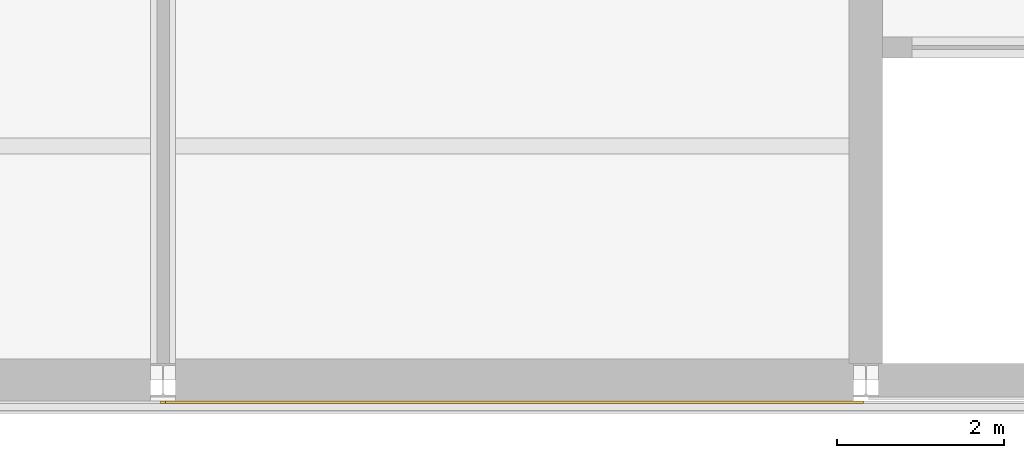
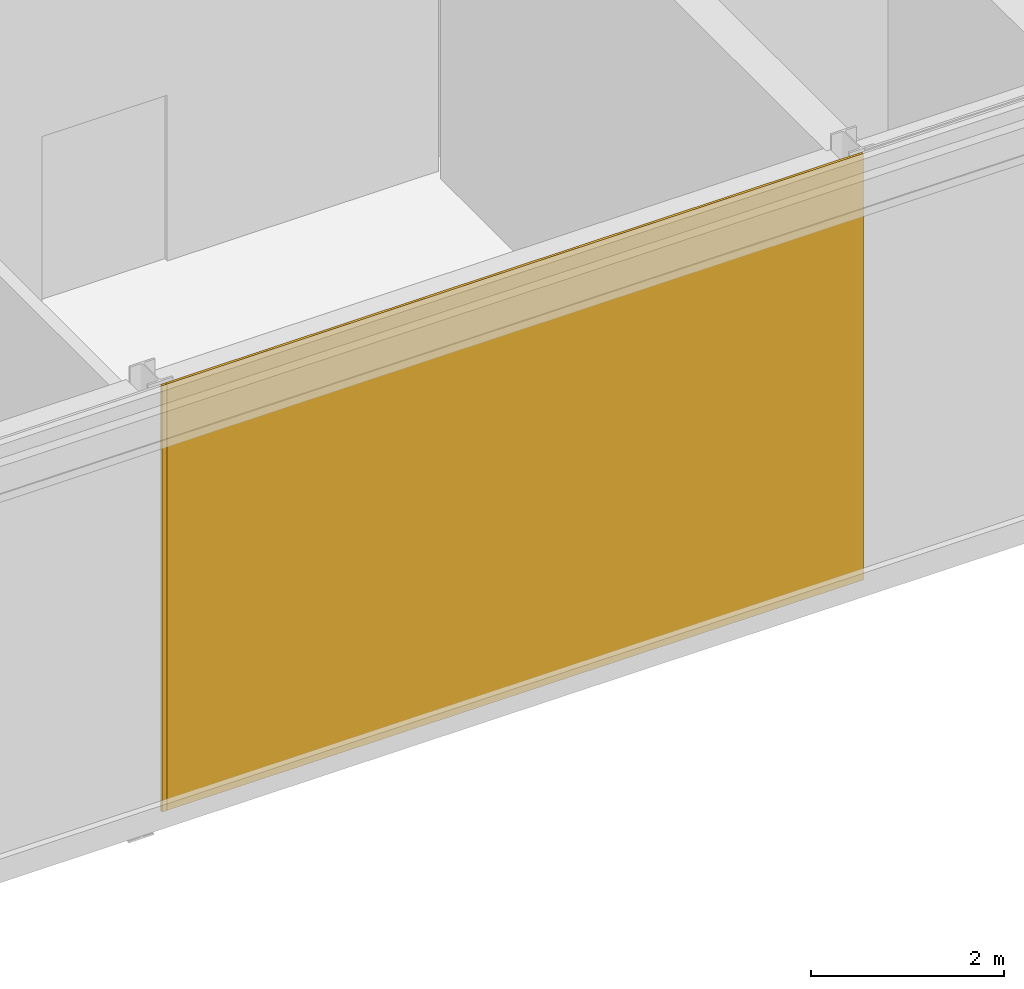
# One storey, part 48 of 57: 2 coverings.
"""IFC4 building model written with IfcOpenShell, lengths in metres."""

import ifcopenshell
import ifcopenshell.guid

model = None  # the IFC model being written
_history = None  # IfcOwnerHistory: only IFC2X3 demands one
_inside = {}  # id of a spatial element -> (the spatial element, [elements in it])
_under = {}  # id of a project, library or spatial element -> (it, [spatial elements below it])
_declared = {}  # id of a project -> (the project, [libraries it declares])
_typed = {}  # id of a type object -> (the type object, [elements of that type])
_made_of = {}  # id of a material, layer set ... -> (it, [elements and type objects made of it])


def new_model(schema):
    """Start an empty IFC model of exactly this schema.

    Asked for "IFC4X3", IfcOpenShell would pick the latest addendum, in which some entities
    have other attributes; the version numbers below select the first issue.
    IFC2X3 requires an IfcOwnerHistory on every rooted entity: one is made here for all.
    """
    global model, _history
    if schema == "IFC4X3":
        model = ifcopenshell.file(schema_version=(4, 3, 0, 0))
    else:
        model = ifcopenshell.file(schema=schema)
    _inside.clear()
    _under.clear()
    _declared.clear()
    _typed.clear()
    _made_of.clear()
    _history = None
    if model.schema == "IFC2X3":
        org = make("IfcOrganization", Name="unknown")
        user = make(
            "IfcPersonAndOrganization",
            ThePerson=make("IfcPerson", FamilyName="unknown"),
            TheOrganization=org,
        )
        app = make(
            "IfcApplication",
            ApplicationDeveloper=org,
            Version="unknown",
            ApplicationFullName="unknown",
            ApplicationIdentifier="unknown",
        )
        _history = make(
            "IfcOwnerHistory",
            OwningUser=user,
            OwningApplication=app,
            ChangeAction="ADDED",
            CreationDate=0,
        )
    return model


def make(cls, **values):
    """One entity of the class cls with the attributes given. An attribute that is None is left unset."""
    return model.create_entity(
        cls, **{name: value for name, value in values.items() if value is not None}
    )


def rooted(cls, **values):
    """An entity with a GlobalId (a new one), such as an element, a storey or a relation."""
    return make(cls, GlobalId=ifcopenshell.guid.new(), OwnerHistory=_history, **values)


def si_unit(unit_type, name, prefix=None):
    """IfcSIUnit, for example si_unit("LENGTHUNIT", "METRE", prefix="MILLI")."""
    return make("IfcSIUnit", UnitType=unit_type, Prefix=prefix, Name=name)


def assignment(units):
    """IfcUnitAssignment: the units of a project."""
    return None if units is None else make("IfcUnitAssignment", Units=units)


def point(xyz):
    """IfcCartesianPoint."""
    return None if xyz is None else make("IfcCartesianPoint", Coordinates=xyz)


def direction(xyz):
    """IfcDirection."""
    return None if xyz is None else make("IfcDirection", DirectionRatios=xyz)


def frame(location, z_axis=None, x_axis=None):
    """IfcAxis2Placement3D, a coordinate frame: its origin and axes. An axis left out is left unset."""
    return make(
        "IfcAxis2Placement3D",
        Location=point(location),
        Axis=direction(z_axis),
        RefDirection=direction(x_axis),
    )


def frame_2d(location, x_axis=None):
    """IfcAxis2Placement2D, a coordinate frame in the plane: its origin and x axis."""
    return make(
        "IfcAxis2Placement2D", Location=point(location), RefDirection=direction(x_axis)
    )


def origin():
    """The frame at (0, 0, 0) with its axes left unset."""
    return frame((0.0, 0.0, 0.0))


def origin_2d():
    """The frame at (0, 0) in the plane with its x axis left unset."""
    return frame_2d((0.0, 0.0))


def place(relative_to, where):
    """IfcLocalPlacement: puts the frame where relative to a parent placement (None: the world)."""
    return make(
        "IfcLocalPlacement", PlacementRelTo=relative_to, RelativePlacement=where
    )


def context(
    kind, dimensions, precision=None, world=None, true_north=None, identifier=None
):
    """IfcGeometricRepresentationContext, for example the 3D "Model" context."""
    return make(
        "IfcGeometricRepresentationContext",
        ContextIdentifier=identifier,
        ContextType=kind,
        CoordinateSpaceDimension=dimensions,
        Precision=precision,
        WorldCoordinateSystem=world,
        TrueNorth=true_north,
    )


def subcontext(parent, identifier, kind, view, scale=None):
    """IfcGeometricRepresentationSubContext, for example "Body" below "Model"."""
    return make(
        "IfcGeometricRepresentationSubContext",
        ContextIdentifier=identifier,
        ContextType=kind,
        ParentContext=parent,
        TargetScale=scale,
        TargetView=view,
    )


def project(units=None, contexts=None):
    """IfcProject with its units and contexts."""
    return rooted(
        "IfcProject",
        Name="project",
        RepresentationContexts=contexts,
        UnitsInContext=assignment(units),
    )


def spatial(cls, under=None, at=None, **own):
    """A site, building, storey or space (cls), placed at a placement, below another one or the project."""
    s = rooted(cls, ObjectPlacement=at, **own)
    if under is not None:
        _under.setdefault(under.id(), (under, []))[1].append(s)
    return s


def profile(cls, at=None, kind="AREA", **sizes):
    """A parametric profile (cls). Its sizes go by their IFC names, for example OverallWidth=200.0."""
    return make(cls, ProfileType=kind, Position=at, **sizes)


def rectangle(**sizes):
    """IfcRectangleProfileDef."""
    return profile("IfcRectangleProfileDef", **sizes)


def extrude(swept, where, along, depth):
    """IfcExtrudedAreaSolid: the profile swept, set in the frame where, extruded along a direction by depth."""
    return make(
        "IfcExtrudedAreaSolid",
        SweptArea=swept,
        Position=where,
        ExtrudedDirection=direction(along),
        Depth=depth,
    )


def shape(context_of_items, identifier, shape_type, items):
    """IfcShapeRepresentation: the items that make up one representation, for example the "Body"."""
    return make(
        "IfcShapeRepresentation",
        ContextOfItems=context_of_items,
        RepresentationIdentifier=identifier,
        RepresentationType=shape_type,
        Items=items,
    )


def material(Name=None, Category=None):
    """IfcMaterial."""
    return make("IfcMaterial", Name=Name, Category=Category)


def layer(
    of_material, thickness, ventilated=None, Name=None, Category=None, Priority=None
):
    """IfcMaterialLayer: one layer of a wall or slab, of a material (None: an air gap)."""
    return make(
        "IfcMaterialLayer",
        Material=of_material,
        LayerThickness=thickness,
        IsVentilated=ventilated,
        Name=Name,
        Category=Category,
        Priority=Priority,
    )


def layer_set(layers, Name=None):
    """IfcMaterialLayerSet."""
    return make("IfcMaterialLayerSet", MaterialLayers=layers, LayerSetName=Name)


def made_of(thing, what):
    """Note that an element or type object is made of a material, layer set ...; save() writes the relation."""
    if what is not None:
        _made_of.setdefault(what.id(), (what, []))[1].append(thing)
    return thing


def type_object(cls, material=None, **own):
    """A type object (cls), such as IfcWallType, which elements share."""
    return made_of(rooted(cls, **own), material)


def element(
    cls,
    number,
    at=None,
    inside=None,
    cuts=None,
    type_object=None,
    material=None,
    context=None,
    identifier="Body",
    shape_type=None,
    held_by="IfcProductDefinitionShape",
    body=None,
    shapes=None,
    **own,
):
    """One element of the class cls, such as IfcWall. Its Tag is "e" and its number.

    at: its placement. inside: the storey or other place that contains it. cuts: it is an
    opening in that element (IfcRelVoidsElement). A single representation is given by context,
    identifier, shape_type and body (its items); several are given by shapes. held_by: the class
    of the entity that holds the representations. save() writes the other relations.
    """
    e = rooted(cls, Tag="e%d" % number, ObjectPlacement=at, **own)
    if body is not None:
        shapes = [shape(context, identifier, shape_type, body)]
    if shapes is not None:
        e.Representation = make(held_by, Representations=shapes)
    if inside is not None:
        _inside.setdefault(inside.id(), (inside, []))[1].append(e)
    if cuts is not None:
        rooted(
            "IfcRelVoidsElement", RelatingBuildingElement=cuts, RelatedOpeningElement=e
        )
    if type_object is not None:
        _typed.setdefault(type_object.id(), (type_object, []))[1].append(e)
    return made_of(e, material)


def aggregate(whole, parts):
    """IfcRelAggregates: a whole, such as a stair, and the parts it consists of."""
    return rooted("IfcRelAggregates", RelatingObject=whole, RelatedObjects=parts)


def save(model, path):
    """Write the relations noted so far, then the file.

    IfcRelAggregates (storeys below a building ...), IfcRelContainedInSpatialStructure (elements
    in a storey), IfcRelDefinesByType, IfcRelAssociatesMaterial and IfcRelDeclares: one each for
    every whole, place, type object, material and project.
    """
    for whole, parts in _under.values():
        aggregate(whole, parts)
    for where, things in _inside.values():
        rooted(
            "IfcRelContainedInSpatialStructure",
            RelatedElements=things,
            RelatingStructure=where,
        )
    for kind, things in _typed.values():
        rooted("IfcRelDefinesByType", RelatedObjects=things, RelatingType=kind)
    for what, things in _made_of.values():
        rooted("IfcRelAssociatesMaterial", RelatedObjects=things, RelatingMaterial=what)
    for by, libraries in _declared.values():
        rooted("IfcRelDeclares", RelatingContext=by, RelatedDefinitions=libraries)
    model.write(path)


model = new_model("IFC4")

# Units and contexts
model_context = context("Model", 3, precision=1e-05, world=origin(), true_north=direction((0.0, 1.0)))
body_context = subcontext(model_context, "Body", "Model", "MODEL_VIEW")
ifc_project = project(units=[si_unit("LENGTHUNIT", "METRE"), si_unit("AREAUNIT", "SQUARE_METRE"), si_unit("VOLUMEUNIT", "CUBIC_METRE"), si_unit("PLANEANGLEUNIT", "RADIAN"), si_unit("MASSUNIT", "GRAM", prefix="KILO")], contexts=[model_context])

# Site, building, storey
site_placement = place(None, origin())
site = spatial("IfcSite", under=ifc_project, at=site_placement, CompositionType="ELEMENT")
building_placement = place(site_placement, origin())
building = spatial("IfcBuilding", under=site, at=building_placement, Name="Galleria Vessillo Department Store", CompositionType="ELEMENT")
storey_placement = place(building_placement, frame((0.0, 0.0, 25.800048828125)))
storey = spatial("IfcBuildingStorey", under=building, at=storey_placement, Name="L05", CompositionType="ELEMENT", Elevation=25.800048828125)

# Coverings
ifc_material = material(Name="Lime plaster (intonaco) ochre")
ifc_layer = layer(ifc_material, 0.030029296875)
ifc_layer_set = layer_set([ifc_layer], Name="Lime plaster (intonaco) ochre")
covering_type = type_object("IfcCoveringType", Name="Lime plaster render 30 mm", PredefinedType="CLADDING", material=ifc_layer_set)
covering_1_placement = place(storey_placement, frame((96.60009765625, -0.264892578125, 0.0), z_axis=(0.0, 0.0, 1.0), x_axis=(1.0, 0.0, 0.0)))
element("IfcCovering", 1, at=covering_1_placement, inside=storey, type_object=covering_type, Name="Wall cladding S-PS-L05-08", PredefinedType="CLADDING", context=body_context, shape_type="SweptSolid", body=[
    extrude(rectangle(XDim=8.34033203125, YDim=0.030029296875, at=origin_2d()), origin(), (0.0, 0.0, 1.0), 5.39990234375),
])
covering_2_placement = place(storey_placement, frame((92.39990234375, -0.264892578125, 0.0), z_axis=(0.0, 0.0, 1.0), x_axis=(1.0, 0.0, 0.0)))
element("IfcCovering", 2, at=covering_2_placement, inside=storey, type_object=covering_type, Name="Joint block Wall cladding S-PS-L05-07", PredefinedType="CLADDING", context=body_context, shape_type="SweptSolid", body=[
    extrude(rectangle(XDim=0.059814453125, YDim=0.030029296875, at=origin_2d()), origin(), (0.0, 0.0, 1.0), 5.39990234375),
])

save(model, "model.ifc")
